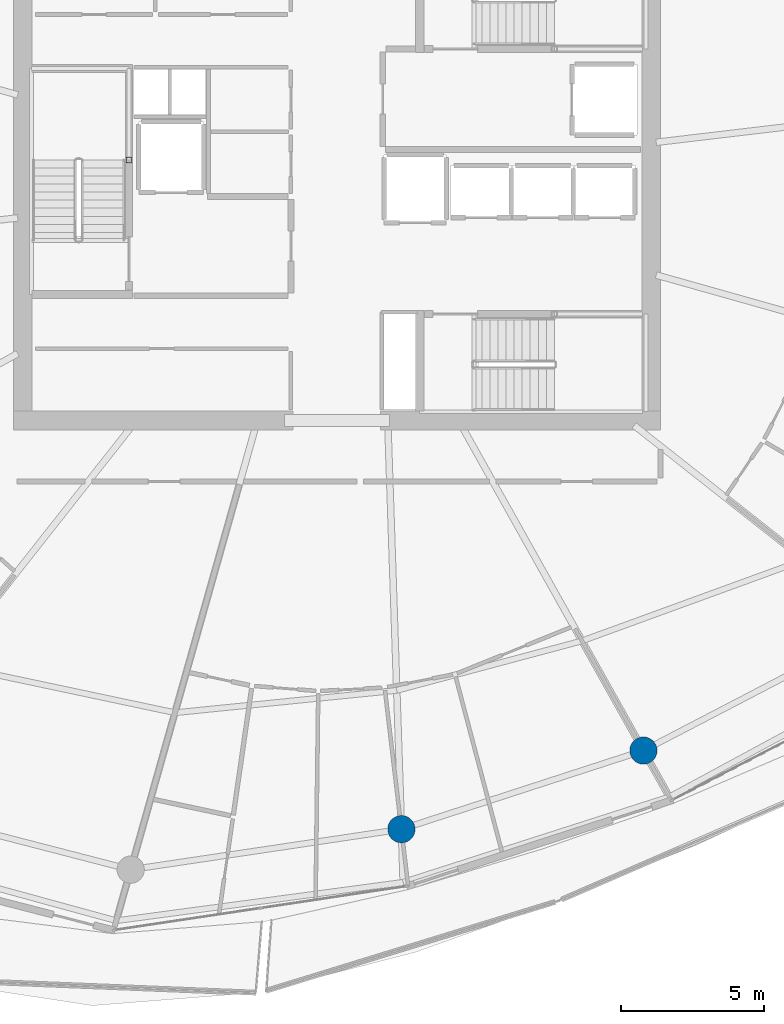
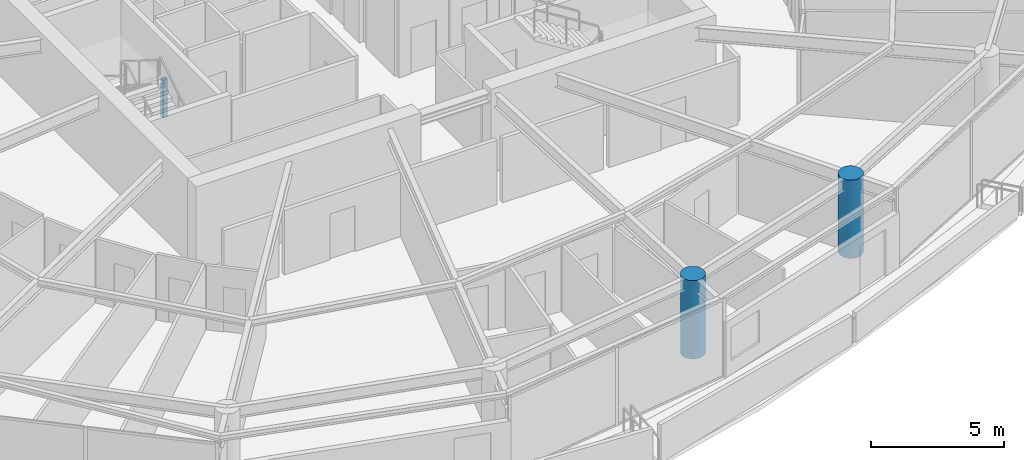
# One storey, part 2 of 31: 3 columns.
"""IFC4 building model written with IfcOpenShell, lengths in metres."""

from ifc_helpers import new_model, si_unit, direction, frame, origin, origin_2d, place, context, subcontext, project, spatial, hollow_rectangle, circle, extrude, material, material_profile, profile_set, type_object, element, save


model = new_model("IFC4")

# Units and contexts
model_context = context("Model", 3, precision=1e-05, world=origin(), true_north=direction((0.0, 1.0)))
body_context = subcontext(model_context, "Body", "Model", "MODEL_VIEW")
ifc_project = project(units=[si_unit("LENGTHUNIT", "METRE"), si_unit("AREAUNIT", "SQUARE_METRE"), si_unit("VOLUMEUNIT", "CUBIC_METRE"), si_unit("PLANEANGLEUNIT", "RADIAN"), si_unit("MASSUNIT", "GRAM", prefix="KILO")], contexts=[model_context])

# Site, building, storey
site_placement = place(None, origin())
site = spatial("IfcSite", under=ifc_project, at=site_placement, CompositionType="ELEMENT")
building_placement = place(site_placement, origin())
building = spatial("IfcBuilding", under=site, at=building_placement, Name="Kazma Halo Residences", CompositionType="ELEMENT")
storey_placement = place(building_placement, frame((0.0, 0.0, 271.35009765625)))
storey = spatial("IfcBuildingStorey", under=building, at=storey_placement, Name="L68", CompositionType="ELEMENT", Elevation=271.35009765625)

# Columns
ifc_material_1 = material(Name="Steel S355", Category="steel")
ifc_material_profile_1 = material_profile(ifc_material_1, hollow_rectangle(XDim=0.199951171875, YDim=0.199951171875, WallThickness=0.010009765625, InnerFilletRadius=0.010009765625, OuterFilletRadius=0.02001953125, at=origin_2d()), Name="SHS200x200x10")
ifc_profile_set_1 = profile_set([ifc_material_profile_1], Name="Steel S355")
column_type_1 = type_object("IfcColumnType", Name="COL-LP-SHS200", PredefinedType="COLUMN", material=ifc_profile_set_1)
column_placement = place(storey_placement, frame((41.179931640625, 42.75, 0.0), z_axis=(0.0, 0.0, 1.0), x_axis=(1.0, 0.0, 0.0)))
element("IfcColumn", 1, at=column_placement, inside=storey, type_object=column_type_1, Name="L68 ST-01 landing pilaster 1", PredefinedType="COLUMN", context=body_context, shape_type="SweptSolid", body=[
    extrude(hollow_rectangle(XDim=0.199951171875, YDim=0.199951171875, WallThickness=0.010009765625, InnerFilletRadius=0.010009765625, OuterFilletRadius=0.02001953125, at=origin_2d()), origin(), (0.0, 0.0, 1.0), 1.719970703125),
])
ifc_material_2 = material(Name="Concrete C60/75", Category="concrete")
ifc_material_profile_2 = material_profile(ifc_material_2, circle(Radius=0.47509765625, at=origin_2d()), Name="CIRC950")
ifc_profile_set_2 = profile_set([ifc_material_profile_2], Name="Concrete C60/75")
column_type_2 = type_object("IfcColumnType", Name="COL-PERIM-950", PredefinedType="COLUMN", material=ifc_profile_set_2)
for number, where, z_axis, x_axis, name in (
    (2, (50.67138671875, 19.42919921875, 0.0), (0.0, 0.0, 1.0), (1.0, 0.0, 0.0), "L68 perimeter ring column P12"),
    (3, (59.10546875, 22.169677734375, 0.0), (0.0, 0.0, 1.0), (1.0, 0.0, 0.0), "L68 perimeter ring column P13"),
):
    element("IfcColumn", number, at=place(storey_placement, frame(where, z_axis=z_axis, x_axis=x_axis)), inside=storey, type_object=column_type_2, Name=name, PredefinedType="COLUMN", context=body_context, shape_type="SweptSolid", body=[
        extrude(circle(Radius=0.47509765625, at=origin_2d()), origin(), (0.0, 0.0, 1.0), 3.58984375),
    ])

save(model, "model.ifc")
